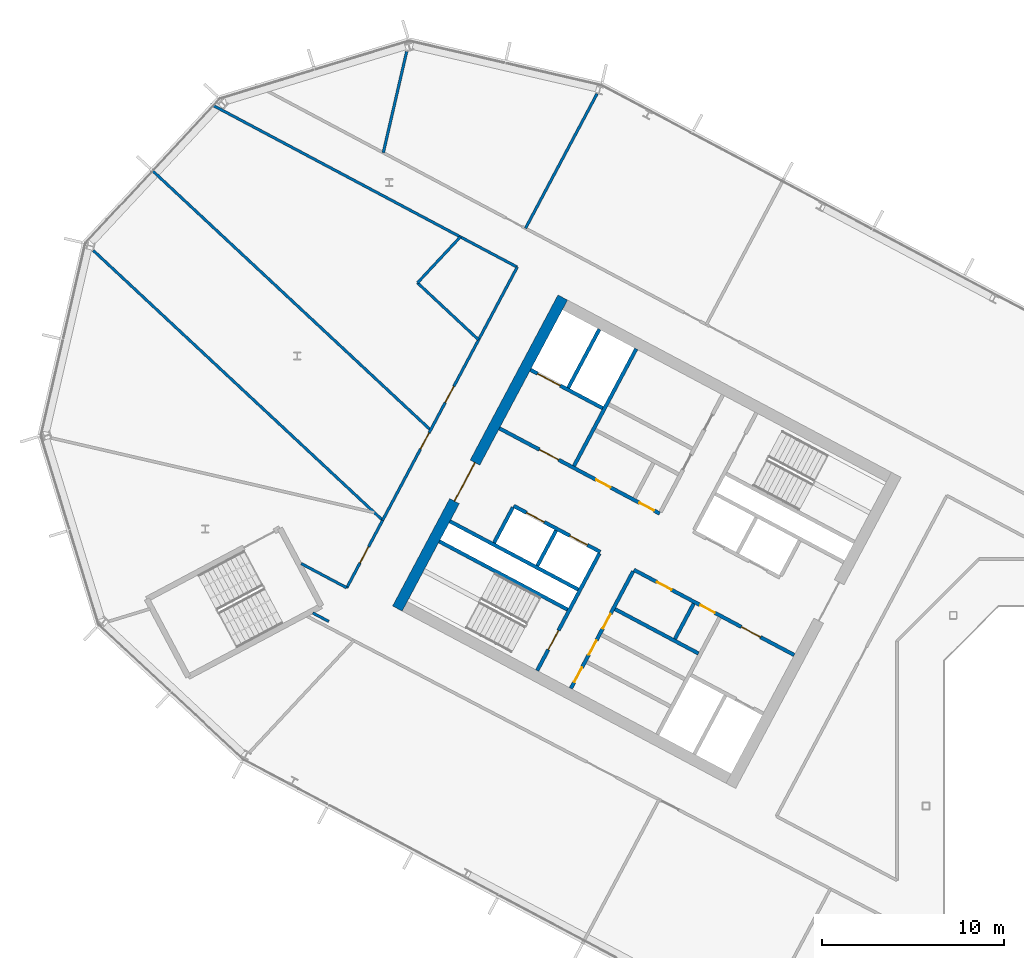
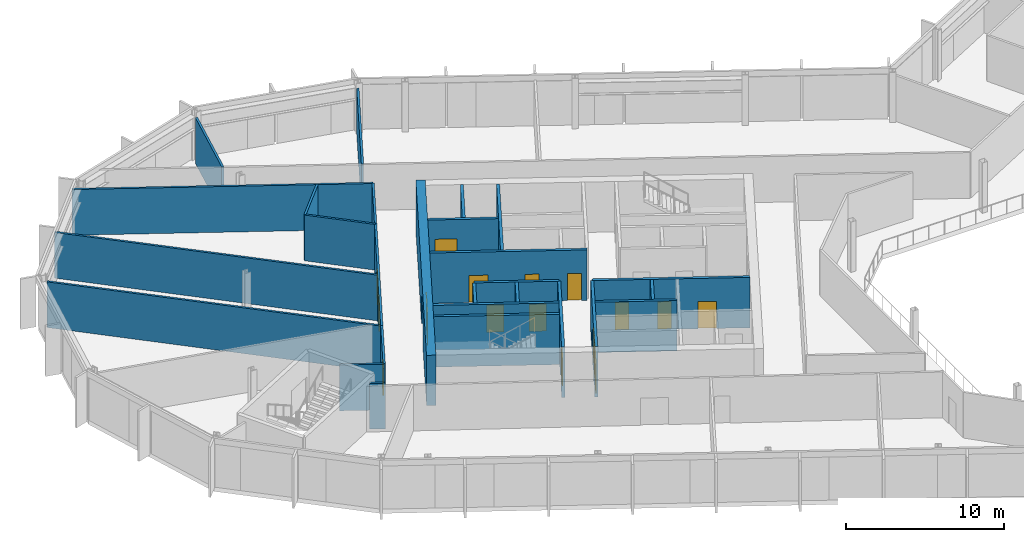
# One storey, part 13 of 26: 26 walls, 17 doors, 17 openings.
"""IFC4 building model written with IfcOpenShell, lengths in metres."""

from ifc_helpers import new_model, si_unit, direction, frame, frame_2d, origin, place, context, subcontext, project, spatial, rectangle, extrude, material, layer, layer_set, type_object, element, fill, save


model = new_model("IFC4")

# Units and contexts
model_context = context("Model", 3, precision=1e-05, world=origin(), true_north=direction((0.0, 1.0)))
body_context = subcontext(model_context, "Body", "Model", "MODEL_VIEW")
ifc_project = project(units=[si_unit("LENGTHUNIT", "METRE"), si_unit("AREAUNIT", "SQUARE_METRE"), si_unit("VOLUMEUNIT", "CUBIC_METRE"), si_unit("PLANEANGLEUNIT", "RADIAN"), si_unit("MASSUNIT", "GRAM", prefix="KILO")], contexts=[model_context])

# Site, building, storey
site_placement = place(None, origin())
site = spatial("IfcSite", under=ifc_project, at=site_placement, CompositionType="ELEMENT")
building_placement = place(site_placement, origin())
building = spatial("IfcBuilding", under=site, at=building_placement, Name="Cormorant Relay Tower", CompositionType="ELEMENT")
storey_placement = place(building_placement, frame((0.0, 0.0, 220.800048828125)))
storey = spatial("IfcBuildingStorey", under=building, at=storey_placement, Name="L48", CompositionType="ELEMENT", Elevation=220.800048828125)

# Walls
ifc_material_1 = material(Name="Concrete 40 MPa", Category="concrete")
ifc_layer_1 = layer(ifc_material_1, 0.199951171875)
ifc_layer_set_1 = layer_set([ifc_layer_1], Name="Core internal wall 200")
wall_type_1 = type_object("IfcWallType", Name="Core internal wall 200", PredefinedType="SOLIDWALL", material=ifc_layer_set_1)
for number, where, z_axis, x_axis, name in (
    (1, (-24.79052734375, 11.142822265625, 0.0), (0.0, 0.0, 1.0), (-0.469487830541, -0.882938942948, 0.0), "L48 core A shaft and room wall"),
    (2, (-32.3662109375, 15.1708984375, 0.0), (0.0, 0.0, 1.0), (-0.469487830541, -0.882938942948, 0.0), "L48 core A shaft and room wall"),
):
    element("IfcWall", number, at=place(storey_placement, frame(where, z_axis=z_axis, x_axis=x_axis)), inside=storey, type_object=wall_type_1, Name=name, PredefinedType="SOLIDWALL", context=body_context, shape_type="SweptSolid", body=[
        extrude(rectangle(XDim=2.2001953125, YDim=0.199951171875, at=frame_2d((1.10009765625, 0.0))), origin(), (0.0, 0.0, 1.0), 3.89990234375),
    ])

# Wall, openings, doors
ifc_material_2 = material(Name="Concrete 50 MPa", Category="concrete")
ifc_layer_2 = layer(ifc_material_2, 0.199951171875)
ifc_layer_set_2 = layer_set([ifc_layer_2], Name="Core shaft wall 200")
wall_type_2 = type_object("IfcWallType", Name="Core shaft wall 200", PredefinedType="SHEAR", material=ifc_layer_set_2)
wall_1_placement = place(storey_placement, frame((-28.128173828125, 12.91748046875, 0.0), z_axis=(0.0, 0.0, 1.0), x_axis=(-0.469454336211, -0.882956752176, 0.0)))
wall_1 = element("IfcWall", 3, at=wall_1_placement, inside=storey, type_object=wall_type_2, Name="L48 core A shaft wall", PredefinedType="SHEAR", context=body_context, shape_type="SweptSolid", body=[
    extrude(rectangle(XDim=7.300048828125, YDim=0.199951171875, at=frame_2d((3.64990234375, 0.0))), origin(), (0.0, 0.0, 1.0), 3.89990234375),
])
opening_1_placement = place(wall_1_placement, frame((2.64990234375, 0.0, 0.0)))
opening_1 = element("IfcOpeningElement", 4, at=opening_1_placement, cuts=wall_1, Name="Opening CDD-268", PredefinedType="OPENING", context=body_context, shape_type="SweptSolid", body=[
    extrude(rectangle(XDim=0.89990234375, YDim=2.10009765625, at=frame_2d((0.449951171875, 1.050048828125))), frame((0.0, 0.10986328125, 0.0), z_axis=(0.0, -1.0, 0.0), x_axis=(1.0, 0.0, 0.0)), (0.0, 0.0, 1.0), 0.219970703125),
])
opening_2_placement = place(wall_1_placement, frame((4.300048828125, 0.0, 0.0)))
opening_2 = element("IfcOpeningElement", 5, at=opening_2_placement, cuts=wall_1, Name="Opening CDD-269", PredefinedType="OPENING", context=body_context, shape_type="SweptSolid", body=[
    extrude(rectangle(XDim=0.89990234375, YDim=2.10009765625, at=frame_2d((0.449951171875, 1.050048828125))), frame((0.0, 0.10986328125, 0.0), z_axis=(0.0, -1.0, 0.0), x_axis=(1.0, 0.0, 0.0)), (0.0, 0.0, 1.0), 0.219970703125),
])
opening_3_placement = place(wall_1_placement, frame((6.0, 0.0, 0.0)))
opening_3 = element("IfcOpeningElement", 6, at=opening_3_placement, cuts=wall_1, Name="Opening CDD-270", PredefinedType="OPENING", context=body_context, shape_type="SweptSolid", body=[
    extrude(rectangle(XDim=0.89990234375, YDim=2.10009765625, at=frame_2d((0.449951171875, 1.050048828125))), frame((0.0, 0.10986328125, 0.0), z_axis=(0.0, -1.0, 0.0), x_axis=(1.0, 0.0, 0.0)), (0.0, 0.0, 1.0), 0.219970703125),
])
ifc_material_3 = material(Name="Steel fire door", Category="steel")
door_type_1 = type_object("IfcDoorType", Name="Core room door 900x2100", OperationType="SINGLE_SWING_LEFT", PredefinedType="DOOR", material=ifc_material_3)
door_1_placement = place(opening_1_placement, origin())
door_1 = element("IfcDoor", 7, at=door_1_placement, inside=storey, type_object=door_type_1, Name="Core room door 900x2100", OperationType="SINGLE_SWING_LEFT", OverallHeight=2.10009765625, OverallWidth=0.89990234375, PredefinedType="DOOR", context=body_context, shape_type="SweptSolid", body=[
    extrude(rectangle(XDim=0.89990234375, YDim=2.10009765625, at=frame_2d((0.449951171875, 1.050048828125))), frame((0.0, 0.02490234375, 0.0), z_axis=(0.0, -1.0, 0.0), x_axis=(1.0, 0.0, 0.0)), (0.0, 0.0, 1.0), 0.050048828125),
])
fill(opening_1, door_1)
door_2_placement = place(opening_2_placement, origin())
door_2 = element("IfcDoor", 8, at=door_2_placement, inside=storey, type_object=door_type_1, Name="Core room door 900x2100", OperationType="SINGLE_SWING_LEFT", OverallHeight=2.10009765625, OverallWidth=0.89990234375, PredefinedType="DOOR", context=body_context, shape_type="SweptSolid", body=[
    extrude(rectangle(XDim=0.89990234375, YDim=2.10009765625, at=frame_2d((0.449951171875, 1.050048828125))), frame((0.0, 0.02490234375, 0.0), z_axis=(0.0, -1.0, 0.0), x_axis=(1.0, 0.0, 0.0)), (0.0, 0.0, 1.0), 0.050048828125),
])
fill(opening_2, door_2)
door_3_placement = place(opening_3_placement, origin())
door_3 = element("IfcDoor", 9, at=door_3_placement, inside=storey, type_object=door_type_1, Name="Core room door 900x2100", OperationType="SINGLE_SWING_LEFT", OverallHeight=2.10009765625, OverallWidth=0.89990234375, PredefinedType="DOOR", context=body_context, shape_type="SweptSolid", body=[
    extrude(rectangle(XDim=0.89990234375, YDim=2.10009765625, at=frame_2d((0.449951171875, 1.050048828125))), frame((0.0, 0.02490234375, 0.0), z_axis=(0.0, -1.0, 0.0), x_axis=(1.0, 0.0, 0.0)), (0.0, 0.0, 1.0), 0.050048828125),
])
fill(opening_3, door_3)

# Wall, opening, door
wall_2_placement = place(storey_placement, frame((-29.982421875, 13.9033203125, 0.0), z_axis=(0.0, 0.0, 1.0), x_axis=(-0.469454336211, -0.882956752176, 0.0)))
wall_2 = element("IfcWall", 10, at=wall_2_placement, inside=storey, type_object=wall_type_2, Name="L48 core A shaft wall", PredefinedType="SHEAR", context=body_context, shape_type="SweptSolid", body=[
    extrude(rectangle(XDim=7.300048828125, YDim=0.199951171875, at=frame_2d((3.64990234375, 0.0))), origin(), (0.0, 0.0, 1.0), 3.89990234375),
])
opening_4_placement = place(wall_2_placement, frame((4.800048828125, 0.0, 0.0)))
opening_4 = element("IfcOpeningElement", 11, at=opening_4_placement, cuts=wall_2, Name="Opening CDB-039", PredefinedType="OPENING", context=body_context, shape_type="SweptSolid", body=[
    extrude(rectangle(XDim=1.199951171875, YDim=2.10009765625, at=frame_2d((0.60009765625, 1.050048828125))), frame((0.0, 0.10986328125, 0.0), z_axis=(0.0, -1.0, 0.0), x_axis=(1.0, 0.0, 0.0)), (0.0, 0.0, 1.0), 0.219970703125),
])
ifc_material_4 = material(Name="Steel fire door", Category="steel")
door_type_2 = type_object("IfcDoorType", Name="Core stair door 1200x2100", OperationType="SINGLE_SWING_LEFT", PredefinedType="DOOR", material=ifc_material_4)
door_4_placement = place(opening_4_placement, frame((1.199951171875, 0.0, 0.0), z_axis=(0.0, 0.0, 1.0), x_axis=(-1.0, 0.0, 0.0)))
door_4 = element("IfcDoor", 12, at=door_4_placement, inside=storey, type_object=door_type_2, Name="Core stair door 1200x2100", OperationType="SINGLE_SWING_RIGHT", OverallHeight=2.10009765625, OverallWidth=1.199951171875, PredefinedType="DOOR", context=body_context, shape_type="SweptSolid", body=[
    extrude(rectangle(XDim=1.199951171875, YDim=2.10009765625, at=frame_2d((0.60009765625, 1.050048828125))), frame((0.0, 0.02490234375, 0.0), z_axis=(0.0, -1.0, 0.0), x_axis=(1.0, 0.0, 0.0)), (0.0, 0.0, 1.0), 0.050048828125),
])
fill(opening_4, door_4)

# Walls
wall_3_placement = place(storey_placement, frame((-27.955322265625, 25.170654296875, 0.0), z_axis=(0.0, 0.0, 1.0), x_axis=(-0.469480409012, -0.88294288918, 0.0)))
element("IfcWall", 13, at=wall_3_placement, inside=storey, type_object=wall_type_2, Name="L48 core A shaft wall", PredefinedType="SHEAR", context=body_context, shape_type="SweptSolid", body=[
    extrude(rectangle(XDim=7.300048828125, YDim=0.199951171875, at=frame_2d((3.64990234375, 0.0))), origin(), (0.0, 0.0, 1.0), 3.89990234375),
])
wall_4_placement = place(storey_placement, frame((-34.750244140625, 16.4384765625, 0.0), z_axis=(0.0, 0.0, 1.0), x_axis=(-0.469401318492, -0.882984938828, 0.0)))
element("IfcWall", 14, at=wall_4_placement, inside=storey, type_object=wall_type_2, Name="L48 core A shaft wall", PredefinedType="SHEAR", context=body_context, shape_type="SweptSolid", body=[
    extrude(rectangle(XDim=2.199951171875, YDim=0.199951171875, at=frame_2d((1.10009765625, 0.0))), origin(), (0.0, 0.0, 1.0), 3.89990234375),
])
wall_5_placement = place(storey_placement, frame((-29.986083984375, 26.250244140625, 0.0), z_axis=(0.0, 0.0, 1.0), x_axis=(-0.469494272526, -0.882935517501, 0.0)))
element("IfcWall", 15, at=wall_5_placement, inside=storey, type_object=wall_type_2, Name="L48 core A shaft wall", PredefinedType="SHEAR", context=body_context, shape_type="SweptSolid", body=[
    extrude(rectangle(XDim=3.64990234375, YDim=0.199951171875, at=frame_2d((1.824951171875, 0.0))), origin(), (0.0, 0.0, 1.0), 3.89990234375),
])

# Wall, opening, door
wall_6_placement = place(storey_placement, frame((-29.80419921875, 21.906494140625, 0.0), z_axis=(0.0, 0.0, 1.0), x_axis=(-0.882960433586, 0.469447412093, 0.0)))
wall_6 = element("IfcWall", 16, at=wall_6_placement, inside=storey, type_object=wall_type_2, Name="L48 core A shaft wall", PredefinedType="SHEAR", context=body_context, shape_type="SweptSolid", body=[
    extrude(rectangle(XDim=4.5, YDim=0.199951171875, at=frame_2d((2.25, 0.0))), origin(), (0.0, 0.0, 1.0), 3.89990234375),
])
opening_5_placement = place(wall_6_placement, frame((2.64990234375, 0.0, 0.0)))
opening_5 = element("IfcOpeningElement", 17, at=opening_5_placement, cuts=wall_6, Name="Opening LD3-015", PredefinedType="OPENING", context=body_context, shape_type="SweptSolid", body=[
    extrude(rectangle(XDim=1.39990234375, YDim=2.39990234375, at=frame_2d((0.699951171875, 1.199951171875))), frame((0.0, 0.10986328125, 0.0), z_axis=(0.0, -1.0, 0.0), x_axis=(1.0, 0.0, 0.0)), (0.0, 0.0, 1.0), 0.219970703125),
])
ifc_material_5 = material(Name="Stainless steel 316", Category="steel")
door_type_3 = type_object("IfcDoorType", Name="Lift landing door 1400x2400", OperationType="DOUBLE_DOOR_SLIDING", PredefinedType="DOOR", material=ifc_material_5)
door_5_placement = place(opening_5_placement, origin())
door_5 = element("IfcDoor", 18, at=door_5_placement, inside=storey, type_object=door_type_3, Name="SV1 landing door", OperationType="DOUBLE_DOOR_SLIDING", OverallHeight=2.39990234375, OverallWidth=1.39990234375, PredefinedType="DOOR", context=body_context, shape_type="SweptSolid", body=[
    extrude(rectangle(XDim=1.39990234375, YDim=2.39990234375, at=frame_2d((0.699951171875, 1.199951171875))), frame((0.0, 0.02490234375, 0.0), z_axis=(0.0, -1.0, 0.0), x_axis=(1.0, 0.0, 0.0)), (0.0, 0.0, 1.0), 0.050048828125),
])
fill(opening_5, door_5)

# Wall, openings, doors
wall_7_placement = place(storey_placement, frame((-26.66162109375, 16.1015625, 0.0), z_axis=(0.0, 0.0, 1.0), x_axis=(-0.882940221191, 0.469485426614, 0.0)))
wall_7 = element("IfcWall", 19, at=wall_7_placement, inside=storey, type_object=wall_type_2, Name="L48 core A shaft wall", PredefinedType="SHEAR", context=body_context, shape_type="SweptSolid", body=[
    extrude(rectangle(XDim=10.0, YDim=0.199951171875, at=frame_2d((5.0, 0.0))), origin(), (0.0, 0.0, 1.0), 3.89990234375),
])
opening_6_placement = place(wall_7_placement, frame((6.300048828125, 0.0, 0.0)))
opening_6 = element("IfcOpeningElement", 20, at=opening_6_placement, cuts=wall_7, Name="Opening CDC-034", PredefinedType="OPENING", context=body_context, shape_type="SweptSolid", body=[
    extrude(rectangle(XDim=1.199951171875, YDim=2.10009765625, at=frame_2d((0.60009765625, 1.050048828125))), frame((0.0, 0.10986328125, 0.0), z_axis=(0.0, -1.0, 0.0), x_axis=(1.0, 0.0, 0.0)), (0.0, 0.0, 1.0), 0.219970703125),
])
opening_7_placement = place(wall_7_placement, frame((0.360107421875, 0.0, 0.0)))
opening_7 = element("IfcOpeningElement", 21, at=opening_7_placement, cuts=wall_7, Name="Opening CDD-234", PredefinedType="OPENING", context=body_context, shape_type="SweptSolid", body=[
    extrude(rectangle(XDim=0.89990234375, YDim=2.10009765625, at=frame_2d((0.449951171875, 1.050048828125))), frame((0.0, 0.10986328125, 0.0), z_axis=(0.0, -1.0, 0.0), x_axis=(1.0, 0.0, 0.0)), (0.0, 0.0, 1.0), 0.219970703125),
])
opening_8_placement = place(wall_7_placement, frame((3.06005859375, 0.0, 0.0)))
opening_8 = element("IfcOpeningElement", 22, at=opening_8_placement, cuts=wall_7, Name="Opening CDD-235", PredefinedType="OPENING", context=body_context, shape_type="SweptSolid", body=[
    extrude(rectangle(XDim=0.89990234375, YDim=2.10009765625, at=frame_2d((0.449951171875, 1.050048828125))), frame((0.0, 0.10986328125, 0.0), z_axis=(0.0, -1.0, 0.0), x_axis=(1.0, 0.0, 0.0)), (0.0, 0.0, 1.0), 0.219970703125),
])
ifc_material_6 = material(Name="Steel fire door", Category="steel")
door_type_4 = type_object("IfcDoorType", Name="Core lobby door 1200x2100", OperationType="SINGLE_SWING_LEFT", PredefinedType="DOOR", material=ifc_material_6)
door_6_placement = place(opening_6_placement, origin())
door_6 = element("IfcDoor", 23, at=door_6_placement, inside=storey, type_object=door_type_4, Name="Core lobby door 1200x2100", OperationType="SINGLE_SWING_LEFT", OverallHeight=2.10009765625, OverallWidth=1.199951171875, PredefinedType="DOOR", context=body_context, shape_type="SweptSolid", body=[
    extrude(rectangle(XDim=1.199951171875, YDim=2.10009765625, at=frame_2d((0.60009765625, 1.050048828125))), frame((0.0, 0.02490234375, 0.0), z_axis=(0.0, -1.0, 0.0), x_axis=(1.0, 0.0, 0.0)), (0.0, 0.0, 1.0), 0.050048828125),
])
fill(opening_6, door_6)
door_7_placement = place(opening_7_placement, frame((0.89990234375, 0.0, 0.0), z_axis=(0.0, 0.0, 1.0), x_axis=(-1.0, 0.0, 0.0)))
door_7 = element("IfcDoor", 24, at=door_7_placement, inside=storey, type_object=door_type_1, Name="Core room door 900x2100", OperationType="SINGLE_SWING_RIGHT", OverallHeight=2.10009765625, OverallWidth=0.89990234375, PredefinedType="DOOR", context=body_context, shape_type="SweptSolid", body=[
    extrude(rectangle(XDim=0.89990234375, YDim=2.10009765625, at=frame_2d((0.449951171875, 1.050048828125))), frame((0.0, 0.02490234375, 0.0), z_axis=(0.0, -1.0, 0.0), x_axis=(1.0, 0.0, 0.0)), (0.0, 0.0, 1.0), 0.050048828125),
])
fill(opening_7, door_7)
door_8_placement = place(opening_8_placement, frame((0.89990234375, 0.0, 0.0), z_axis=(0.0, 0.0, 1.0), x_axis=(-1.0, 0.0, 0.0)))
door_8 = element("IfcDoor", 25, at=door_8_placement, inside=storey, type_object=door_type_1, Name="Core room door 900x2100", OperationType="SINGLE_SWING_RIGHT", OverallHeight=2.10009765625, OverallWidth=0.89990234375, PredefinedType="DOOR", context=body_context, shape_type="SweptSolid", body=[
    extrude(rectangle(XDim=0.89990234375, YDim=2.10009765625, at=frame_2d((0.449951171875, 1.050048828125))), frame((0.0, 0.02490234375, 0.0), z_axis=(0.0, -1.0, 0.0), x_axis=(1.0, 0.0, 0.0)), (0.0, 0.0, 1.0), 0.050048828125),
])
fill(opening_8, door_8)

wall_8_placement = place(storey_placement, frame((-19.251708984375, 8.31103515625, 0.0), z_axis=(0.0, 0.0, 1.0), x_axis=(-0.882955722218, 0.469456273365, 0.0)))
wall_8 = element("IfcWall", 26, at=wall_8_placement, inside=storey, type_object=wall_type_2, Name="L48 core A shaft wall", PredefinedType="SHEAR", context=body_context, shape_type="SweptSolid", body=[
    extrude(rectangle(XDim=10.0, YDim=0.199951171875, at=frame_2d((5.0, 0.0))), origin(), (0.0, 0.0, 1.0), 3.89990234375),
])
opening_9_placement = place(wall_8_placement, frame((2.10009765625, 0.0, 0.0)))
opening_9 = element("IfcOpeningElement", 27, at=opening_9_placement, cuts=wall_8, Name="Opening CDC-033", PredefinedType="OPENING", context=body_context, shape_type="SweptSolid", body=[
    extrude(rectangle(XDim=1.199951171875, YDim=2.10009765625, at=frame_2d((0.60009765625, 1.050048828125))), frame((0.0, 0.10986328125, 0.0), z_axis=(0.0, -1.0, 0.0), x_axis=(1.0, 0.0, 0.0)), (0.0, 0.0, 1.0), 0.219970703125),
])
opening_10_placement = place(wall_8_placement, frame((4.9599609375, 0.0, 0.0)))
opening_10 = element("IfcOpeningElement", 28, at=opening_10_placement, cuts=wall_8, Name="Opening CDD-232", PredefinedType="OPENING", context=body_context, shape_type="SweptSolid", body=[
    extrude(rectangle(XDim=0.89990234375, YDim=2.10009765625, at=frame_2d((0.449951171875, 1.050048828125))), frame((0.0, 0.10986328125, 0.0), z_axis=(0.0, -1.0, 0.0), x_axis=(1.0, 0.0, 0.0)), (0.0, 0.0, 1.0), 0.219970703125),
])
opening_11_placement = place(wall_8_placement, frame((7.659912109375, 0.0, 0.0)))
opening_11 = element("IfcOpeningElement", 29, at=opening_11_placement, cuts=wall_8, Name="Opening CDD-233", PredefinedType="OPENING", context=body_context, shape_type="SweptSolid", body=[
    extrude(rectangle(XDim=0.89990234375, YDim=2.10009765625, at=frame_2d((0.449951171875, 1.050048828125))), frame((0.0, 0.10986328125, 0.0), z_axis=(0.0, -1.0, 0.0), x_axis=(1.0, 0.0, 0.0)), (0.0, 0.0, 1.0), 0.219970703125),
])
door_9_placement = place(opening_9_placement, origin())
door_9 = element("IfcDoor", 30, at=door_9_placement, inside=storey, type_object=door_type_4, Name="Core lobby door 1200x2100", OperationType="SINGLE_SWING_RIGHT", OverallHeight=2.10009765625, OverallWidth=1.199951171875, PredefinedType="DOOR", context=body_context, shape_type="SweptSolid", body=[
    extrude(rectangle(XDim=1.199951171875, YDim=2.10009765625, at=frame_2d((0.60009765625, 1.050048828125))), frame((0.0, 0.02490234375, 0.0), z_axis=(0.0, -1.0, 0.0), x_axis=(1.0, 0.0, 0.0)), (0.0, 0.0, 1.0), 0.050048828125),
])
fill(opening_9, door_9)
door_10_placement = place(opening_10_placement, origin())
door_10 = element("IfcDoor", 31, at=door_10_placement, inside=storey, type_object=door_type_1, Name="Core room door 900x2100", OperationType="SINGLE_SWING_LEFT", OverallHeight=2.10009765625, OverallWidth=0.89990234375, PredefinedType="DOOR", context=body_context, shape_type="SweptSolid", body=[
    extrude(rectangle(XDim=0.89990234375, YDim=2.10009765625, at=frame_2d((0.449951171875, 1.050048828125))), frame((0.0, 0.02490234375, 0.0), z_axis=(0.0, -1.0, 0.0), x_axis=(1.0, 0.0, 0.0)), (0.0, 0.0, 1.0), 0.050048828125),
])
fill(opening_10, door_10)
door_11_placement = place(opening_11_placement, origin())
door_11 = element("IfcDoor", 32, at=door_11_placement, inside=storey, type_object=door_type_1, Name="Core room door 900x2100", OperationType="SINGLE_SWING_LEFT", OverallHeight=2.10009765625, OverallWidth=0.89990234375, PredefinedType="DOOR", context=body_context, shape_type="SweptSolid", body=[
    extrude(rectangle(XDim=0.89990234375, YDim=2.10009765625, at=frame_2d((0.449951171875, 1.050048828125))), frame((0.0, 0.02490234375, 0.0), z_axis=(0.0, -1.0, 0.0), x_axis=(1.0, 0.0, 0.0)), (0.0, 0.0, 1.0), 0.050048828125),
])
fill(opening_11, door_11)

wall_9_placement = place(storey_placement, frame((-29.935302734375, 13.991455078125, 0.0), z_axis=(0.0, 0.0, 1.0), x_axis=(-0.882952937579, 0.469461510692, 0.0)))
wall_9 = element("IfcWall", 33, at=wall_9_placement, inside=storey, type_object=wall_type_2, Name="L48 core A shaft wall", PredefinedType="SHEAR", context=body_context, shape_type="SweptSolid", body=[
    extrude(rectangle(XDim=5.400146484375, YDim=0.199951171875, at=frame_2d((2.7001953125, 0.0))), origin(), (0.0, 0.0, 1.0), 3.89990234375),
])
opening_12_placement = place(wall_9_placement, frame((0.800048828125, 0.0, 0.0)))
opening_12 = element("IfcOpeningElement", 34, at=opening_12_placement, cuts=wall_9, Name="Opening LD1-059", PredefinedType="OPENING", context=body_context, shape_type="SweptSolid", body=[
    extrude(rectangle(XDim=1.10009765625, YDim=2.10009765625, at=frame_2d((0.550048828125, 1.050048828125))), frame((0.0, 0.10986328125, 0.0), z_axis=(0.0, -1.0, 0.0), x_axis=(1.0, 0.0, 0.0)), (0.0, 0.0, 1.0), 0.219970703125),
])
opening_13_placement = place(wall_9_placement, frame((3.5, 0.0, 0.0)))
opening_13 = element("IfcOpeningElement", 35, at=opening_13_placement, cuts=wall_9, Name="Opening LD1-060", PredefinedType="OPENING", context=body_context, shape_type="SweptSolid", body=[
    extrude(rectangle(XDim=1.10009765625, YDim=2.10009765625, at=frame_2d((0.550048828125, 1.050048828125))), frame((0.0, 0.10986328125, 0.0), z_axis=(0.0, -1.0, 0.0), x_axis=(1.0, 0.0, 0.0)), (0.0, 0.0, 1.0), 0.219970703125),
])
ifc_material_7 = material(Name="Stainless steel 316", Category="steel")
door_type_5 = type_object("IfcDoorType", Name="Lift landing door 1100x2100", OperationType="DOUBLE_DOOR_SLIDING", PredefinedType="DOOR", material=ifc_material_7)
door_12_placement = place(opening_12_placement, origin())
door_12 = element("IfcDoor", 36, at=door_12_placement, inside=storey, type_object=door_type_5, Name="MR1 landing door", OperationType="DOUBLE_DOOR_SLIDING", OverallHeight=2.10009765625, OverallWidth=1.10009765625, PredefinedType="DOOR", context=body_context, shape_type="SweptSolid", body=[
    extrude(rectangle(XDim=1.10009765625, YDim=2.10009765625, at=frame_2d((0.550048828125, 1.050048828125))), frame((0.0, 0.02490234375, 0.0), z_axis=(0.0, -1.0, 0.0), x_axis=(1.0, 0.0, 0.0)), (0.0, 0.0, 1.0), 0.050048828125),
])
fill(opening_12, door_12)
door_13_placement = place(opening_13_placement, origin())
door_13 = element("IfcDoor", 37, at=door_13_placement, inside=storey, type_object=door_type_5, Name="MR2 landing door", OperationType="DOUBLE_DOOR_SLIDING", OverallHeight=2.10009765625, OverallWidth=1.10009765625, PredefinedType="DOOR", context=body_context, shape_type="SweptSolid", body=[
    extrude(rectangle(XDim=1.10009765625, YDim=2.10009765625, at=frame_2d((0.550048828125, 1.050048828125))), frame((0.0, 0.02490234375, 0.0), z_axis=(0.0, -1.0, 0.0), x_axis=(1.0, 0.0, 0.0)), (0.0, 0.0, 1.0), 0.050048828125),
])
fill(opening_13, door_13)

# Walls
wall_10_placement = place(storey_placement, frame((-24.5283203125, 8.3984375, 0.0), z_axis=(0.0, 0.0, 1.0), x_axis=(-0.882953967957, 0.469459572775, 0.0)))
element("IfcWall", 38, at=wall_10_placement, inside=storey, type_object=wall_type_2, Name="L48 core A shaft wall", PredefinedType="SHEAR", context=body_context, shape_type="SweptSolid", body=[
    extrude(rectangle(XDim=5.199951171875, YDim=0.199951171875, at=frame_2d((2.60009765625, 0.0))), origin(), (0.0, 0.0, 1.0), 3.89990234375),
])
for number, where, z_axis, x_axis, name in (
    (39, (-31.150390625, 11.91943359375, 0.0), (0.0, 0.0, 1.0), (-0.882940221191, 0.469485426614, 0.0), "L48 core A shaft wall"),
    (40, (-31.7373046875, 10.815673828125, 0.0), (0.0, 0.0, 1.0), (-0.882940221191, 0.469485426614, 0.0), "L48 core A shaft wall"),
):
    element("IfcWall", number, at=place(storey_placement, frame(where, z_axis=z_axis, x_axis=x_axis)), inside=storey, type_object=wall_type_2, Name=name, PredefinedType="SHEAR", context=body_context, shape_type="SweptSolid", body=[
        extrude(rectangle(XDim=8.0, YDim=0.199951171875, at=frame_2d((4.0, 0.0))), origin(), (0.0, 0.0, 1.0), 3.89990234375),
    ])

# Wall, opening, door
ifc_material_8 = material(Name="Concrete 50 MPa", Category="concrete")
ifc_layer_3 = layer(ifc_material_8, 0.60009765625)
ifc_layer_set_3 = layer_set([ifc_layer_3], Name="Core wall 600")
wall_type_3 = type_object("IfcWallType", Name="Core wall 600", PredefinedType="SHEAR", material=ifc_layer_set_3)
wall_11_placement = place(storey_placement, frame((-32.000244140625, 28.000732421875, 0.0), z_axis=(0.0, 0.0, 1.0), x_axis=(-0.469468958625, -0.882948977511, 0.0)))
wall_11 = element("IfcWall", 41, at=wall_11_placement, inside=storey, type_object=wall_type_3, Name="L48 core A wall", PredefinedType="SHEAR", context=body_context, shape_type="SweptSolid", body=[
    extrude(rectangle(XDim=19.39990234375, YDim=0.60009765625, at=frame_2d((9.699951171875, 0.0))), origin(), (0.0, 0.0, 1.0), 3.89990234375),
])
opening_14_placement = place(wall_11_placement, frame((10.300048828125, 0.0, 0.0)))
opening_14 = element("IfcOpeningElement", 42, at=opening_14_placement, cuts=wall_11, Name="Opening CDA-041", PredefinedType="OPENING", context=body_context, shape_type="SweptSolid", body=[
    extrude(rectangle(XDim=2.39990234375, YDim=2.39990234375, at=frame_2d((1.199951171875, 1.199951171875))), frame((0.0, 0.31005859375, 0.0), z_axis=(0.0, -1.0, 0.0), x_axis=(1.0, 0.0, 0.0)), (0.0, 0.0, 1.0), 0.6201171875),
])
ifc_material_9 = material(Name="Steel fire door", Category="steel")
door_type_6 = type_object("IfcDoorType", Name="Core lobby door 2400x2400", OperationType="DOUBLE_DOOR_SINGLE_SWING", PredefinedType="DOOR", material=ifc_material_9)
door_14_placement = place(opening_14_placement, origin())
door_14 = element("IfcDoor", 43, at=door_14_placement, inside=storey, type_object=door_type_6, Name="Core lobby door 2400x2400", OperationType="DOUBLE_DOOR_SINGLE_SWING", OverallHeight=2.39990234375, OverallWidth=2.39990234375, PredefinedType="DOOR", context=body_context, shape_type="SweptSolid", body=[
    extrude(rectangle(XDim=2.39990234375, YDim=2.39990234375, at=frame_2d((1.199951171875, 1.199951171875))), frame((0.0, 0.02490234375, 0.0), z_axis=(0.0, -1.0, 0.0), x_axis=(1.0, 0.0, 0.0)), (0.0, 0.0, 1.0), 0.050048828125),
])
fill(opening_14, door_14)

# Wall, openings, doors
ifc_material_10 = material(Name="Gypsum board fire partition")
ifc_layer_4 = layer(ifc_material_10, 0.14990234375)
ifc_layer_set_4 = layer_set([ifc_layer_4], Name="Corridor partition 150 EI 60")
wall_type_4 = type_object("IfcWallType", Name="Corridor partition 150 EI 60", PredefinedType="PARTITIONING", material=ifc_layer_set_4)
wall_12_placement = place(storey_placement, frame((-41.9208984375, 15.73291015625, 0.0), z_axis=(0.0, 0.0, 1.0), x_axis=(0.469481161914, 0.882942488845, 0.0)))
wall_12 = element("IfcWall", 44, at=wall_12_placement, inside=storey, type_object=wall_type_4, Name="wall/L48/part/007", PredefinedType="PARTITIONING", context=body_context, shape_type="SweptSolid", body=[
    extrude(rectangle(XDim=15.78955078125, YDim=0.14990234375, at=frame_2d((7.894775390625, 0.0))), origin(), (0.0, 0.0, 1.0), 3.5400390625),
])
opening_15_placement = place(wall_12_placement, frame((7.35009765625, 0.0, 0.0)))
opening_15 = element("IfcOpeningElement", 45, at=opening_15_placement, cuts=wall_12, Name="Opening DS-141", PredefinedType="OPENING", context=body_context, shape_type="SweptSolid", body=[
    extrude(rectangle(XDim=1.0, YDim=2.10009765625, at=frame_2d((0.5, 1.050048828125))), frame((0.0, 0.0849609375, 0.0), z_axis=(0.0, -1.0, 0.0), x_axis=(1.0, 0.0, 0.0)), (0.0, 0.0, 1.0), 0.169921875),
])
opening_16_placement = place(wall_12_placement, frame((4.449951171875, 0.0, 0.0)))
opening_16 = element("IfcOpeningElement", 46, at=opening_16_placement, cuts=wall_12, Name="Opening DS-142", PredefinedType="OPENING", context=body_context, shape_type="SweptSolid", body=[
    extrude(rectangle(XDim=1.0, YDim=2.10009765625, at=frame_2d((0.5, 1.050048828125))), frame((0.0, 0.0849609375, 0.0), z_axis=(0.0, -1.0, 0.0), x_axis=(1.0, 0.0, 0.0)), (0.0, 0.0, 1.0), 0.169921875),
])
ifc_material_11 = material(Name="Timber door leaf", Category="wood")
door_type_7 = type_object("IfcDoorType", Name="Suite door 1000x2100", OperationType="SINGLE_SWING_LEFT", PredefinedType="DOOR", material=ifc_material_11)
door_15_placement = place(opening_15_placement, origin())
door_15 = element("IfcDoor", 47, at=door_15_placement, inside=storey, type_object=door_type_7, Name="door/L48/004", OperationType="SINGLE_SWING_RIGHT", OverallHeight=2.10009765625, OverallWidth=1.0, PredefinedType="DOOR", context=body_context, shape_type="SweptSolid", body=[
    extrude(rectangle(XDim=1.0, YDim=2.10009765625, at=frame_2d((0.5, 1.050048828125))), frame((0.0, 0.02490234375, 0.0), z_axis=(0.0, -1.0, 0.0), x_axis=(1.0, 0.0, 0.0)), (0.0, 0.0, 1.0), 0.050048828125),
])
fill(opening_15, door_15)
door_16_placement = place(opening_16_placement, origin())
door_16 = element("IfcDoor", 48, at=door_16_placement, inside=storey, type_object=door_type_7, Name="door/L48/005", OperationType="SINGLE_SWING_RIGHT", OverallHeight=2.10009765625, OverallWidth=1.0, PredefinedType="DOOR", context=body_context, shape_type="SweptSolid", body=[
    extrude(rectangle(XDim=1.0, YDim=2.10009765625, at=frame_2d((0.5, 1.050048828125))), frame((0.0, 0.02490234375, 0.0), z_axis=(0.0, -1.0, 0.0), x_axis=(1.0, 0.0, 0.0)), (0.0, 0.0, 1.0), 0.050048828125),
])
fill(opening_16, door_16)

# Walls
wall_13_placement = place(storey_placement, frame((-34.508056640625, 29.674072265625, 0.0), z_axis=(0.0, 0.0, 1.0), x_axis=(-0.882947928049, 0.469470932384, 0.0)))
element("IfcWall", 49, at=wall_13_placement, inside=storey, type_object=wall_type_4, Name="wall/L48/part/008", PredefinedType="PARTITIONING", context=body_context, shape_type="SweptSolid", body=[
    extrude(rectangle(XDim=19.1279296875, YDim=0.14990234375, at=frame_2d((9.56396484375, 0.0))), origin(), (0.0, 0.0, 1.0), 3.5400390625),
])
wall_14_placement = place(storey_placement, frame((-46.403076171875, 13.346923828125, 0.0), z_axis=(0.0, 0.0, 1.0), x_axis=(0.882942972946, -0.469480251476, 0.0)))
element("IfcWall", 50, at=wall_14_placement, inside=storey, type_object=wall_type_4, Name="wall/L48/part/013", PredefinedType="PARTITIONING", context=body_context, shape_type="SweptSolid", body=[
    extrude(rectangle(XDim=2.837158203125, YDim=0.14990234375, at=frame_2d((1.41845703125, 0.0))), origin(), (0.0, 0.0, 1.0), 3.5400390625),
])

# Wall, opening, door
wall_15_placement = place(storey_placement, frame((-41.9208984375, 15.73291015625, 0.0), z_axis=(0.0, 0.0, 1.0), x_axis=(-0.468752714774, -0.883329435937, 0.0)))
wall_15 = element("IfcWall", 51, at=wall_15_placement, inside=storey, type_object=wall_type_4, Name="wall/L48/part/014", PredefinedType="PARTITIONING", context=body_context, shape_type="SweptSolid", body=[
    extrude(rectangle(XDim=4.213623046875, YDim=0.14990234375, at=frame_2d((2.10693359375, 0.0))), origin(), (0.0, 0.0, 1.0), 3.5400390625),
])
opening_17_placement = place(wall_15_placement, frame((1.64990234375, 0.0, 0.0)))
opening_17 = element("IfcOpeningElement", 52, at=opening_17_placement, cuts=wall_15, Name="Opening DS-143", PredefinedType="OPENING", context=body_context, shape_type="SweptSolid", body=[
    extrude(rectangle(XDim=1.0, YDim=2.10009765625, at=frame_2d((0.5, 1.050048828125))), frame((0.0, 0.0849609375, 0.0), z_axis=(0.0, -1.0, 0.0), x_axis=(1.0, 0.0, 0.0)), (0.0, 0.0, 1.0), 0.169921875),
])
door_17_placement = place(opening_17_placement, frame((1.0, 0.0, 0.0), z_axis=(0.0, 0.0, 1.0), x_axis=(-1.0, 0.0, 0.0)))
door_17 = element("IfcDoor", 53, at=door_17_placement, inside=storey, type_object=door_type_7, Name="door/L48/006", OperationType="SINGLE_SWING_RIGHT", OverallHeight=2.10009765625, OverallWidth=1.0, PredefinedType="DOOR", context=body_context, shape_type="SweptSolid", body=[
    extrude(rectangle(XDim=1.0, YDim=2.10009765625, at=frame_2d((0.5, 1.050048828125))), frame((0.0, 0.02490234375, 0.0), z_axis=(0.0, -1.0, 0.0), x_axis=(1.0, 0.0, 0.0)), (0.0, 0.0, 1.0), 0.050048828125),
])
fill(opening_17, door_17)

# Walls
wall_16_placement = place(storey_placement, frame((-44.883056640625, 10.160888671875, 0.0), z_axis=(0.0, 0.0, 1.0), x_axis=(-0.883332602284, 0.468746747981, 0.0)))
element("IfcWall", 54, at=wall_16_placement, inside=storey, type_object=wall_type_4, Name="wall/L48/part/017", PredefinedType="PARTITIONING", context=body_context, shape_type="SweptSolid", body=[
    extrude(rectangle(XDim=1.005126953125, YDim=0.14990234375, at=frame_2d((0.50244140625, 0.0))), origin(), (0.0, 0.0, 1.0), 3.5400390625),
])
ifc_material_12 = material(Name="Gypsum board partition")
ifc_layer_5 = layer(ifc_material_12, 0.14990234375)
ifc_layer_set_5 = layer_set([ifc_layer_5], Name="Tenant partition 150")
wall_type_5 = type_object("IfcWallType", Name="Tenant partition 150", PredefinedType="PARTITIONING", material=ifc_layer_set_5)
wall_17_placement = place(storey_placement, frame((-54.714111328125, 35.095947265625, 0.0), z_axis=(0.0, 0.0, 1.0), x_axis=(0.731383697129, -0.681966192398, 0.0)))
element("IfcWall", 55, at=wall_17_placement, inside=storey, type_object=wall_type_5, Name="wall/L48/part/002", PredefinedType="PARTITIONING", context=body_context, shape_type="SweptSolid", body=[
    extrude(rectangle(XDim=21.105224609375, YDim=0.14990234375, at=frame_2d((10.552734375, 0.0))), origin(), (0.0, 0.0, 1.0), 3.5400390625),
])
wall_18_placement = place(storey_placement, frame((-41.919921875, 15.73388671875, 0.0), z_axis=(0.0, 0.0, 1.0), x_axis=(-0.731382644917, 0.681967320855, 0.0)))
element("IfcWall", 56, at=wall_18_placement, inside=storey, type_object=wall_type_5, Name="wall/L48/part/003", PredefinedType="PARTITIONING", context=body_context, shape_type="SweptSolid", body=[
    extrude(rectangle(XDim=21.79296875, YDim=0.14990234375, at=frame_2d((10.896484375, 0.0))), origin(), (0.0, 0.0, 1.0), 3.5400390625),
])
wall_19_placement = place(storey_placement, frame((-37.639892578125, 31.339111328125, 0.0), z_axis=(0.0, 0.0, 1.0), x_axis=(-0.681983873773, -0.731367210035, 0.0)))
element("IfcWall", 57, at=wall_19_placement, inside=storey, type_object=wall_type_5, Name="wall/L48/part/005", PredefinedType="PARTITIONING", context=body_context, shape_type="SweptSolid", body=[
    extrude(rectangle(XDim=3.460693359375, YDim=0.14990234375, at=frame_2d((1.73046875, 0.0))), origin(), (0.0, 0.0, 1.0), 3.5400390625),
])
wall_20_placement = place(storey_placement, frame((-40.0, 28.80810546875, 0.0), z_axis=(0.0, 0.0, 1.0), x_axis=(0.731231770063, -0.682129092218, 0.0)))
element("IfcWall", 58, at=wall_20_placement, inside=storey, type_object=wall_type_5, Name="wall/L48/part/006", PredefinedType="PARTITIONING", context=body_context, shape_type="SweptSolid", body=[
    extrude(rectangle(XDim=4.59912109375, YDim=0.14990234375, at=frame_2d((2.299560546875, 0.0))), origin(), (0.0, 0.0, 1.0), 3.5400390625),
])
wall_21_placement = place(storey_placement, frame((-30.110107421875, 39.22509765625, 0.0), z_axis=(0.0, 0.0, 1.0), x_axis=(-0.469401779971, -0.882984693502, 0.0)))
element("IfcWall", 59, at=wall_21_placement, inside=storey, type_object=wall_type_5, Name="wall/L48/part/018", PredefinedType="PARTITIONING", context=body_context, shape_type="SweptSolid", body=[
    extrude(rectangle(XDim=8.397705078125, YDim=0.14990234375, at=frame_2d((4.19873046875, 0.0))), origin(), (0.0, 0.0, 1.0), 3.5400390625),
])
wall_22_placement = place(storey_placement, frame((-41.883056640625, 35.97412109375, 0.0), z_axis=(0.0, 0.0, 1.0), x_axis=(0.225018240408, 0.97435455122, 0.0)))
element("IfcWall", 60, at=wall_22_placement, inside=storey, type_object=wall_type_5, Name="wall/L48/part/019", PredefinedType="PARTITIONING", context=body_context, shape_type="SweptSolid", body=[
    extrude(rectangle(XDim=5.728759765625, YDim=0.14990234375, at=frame_2d((2.8642578125, 0.0))), origin(), (0.0, 0.0, 1.0), 3.5400390625),
])

save(model, "model.ifc")
